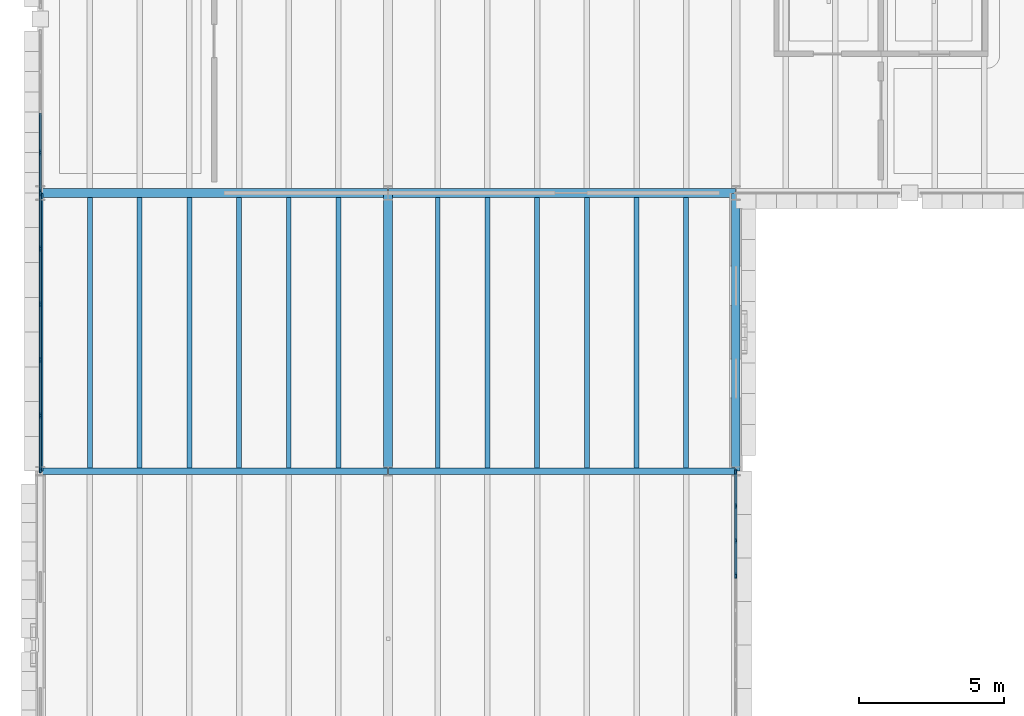
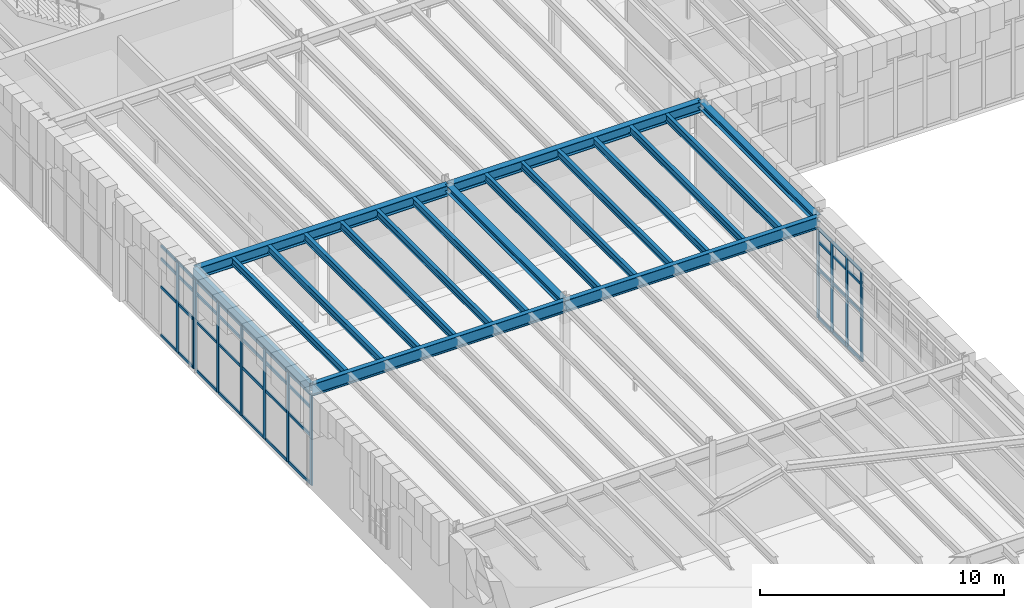
# One storey, part 17 of 100: 52 members, 19 beams, 3 elements without a shape of their own.
"""IFC4 building model written with IfcOpenShell, lengths in metres."""

from ifc_helpers import new_model, si_unit, direction, frame, origin, origin_2d, place, context, subcontext, project, spatial, rectangle, hollow_rectangle, i_section, extrude, material, layer, layer_set, material_profile, profile_set, type_object, element, aggregate, save


model = new_model("IFC4")

# Units and contexts
model_context = context("Model", 3, precision=1e-05, world=origin(), true_north=direction((0.0, 1.0)))
body_context = subcontext(model_context, "Body", "Model", "MODEL_VIEW")
ifc_project = project(units=[si_unit("LENGTHUNIT", "METRE"), si_unit("AREAUNIT", "SQUARE_METRE"), si_unit("VOLUMEUNIT", "CUBIC_METRE"), si_unit("PLANEANGLEUNIT", "RADIAN"), si_unit("MASSUNIT", "GRAM", prefix="KILO")], contexts=[model_context])

# Site, building, storey
site_placement = place(None, origin())
site = spatial("IfcSite", under=ifc_project, at=site_placement, CompositionType="ELEMENT")
building_placement = place(site_placement, origin())
building = spatial("IfcBuilding", under=site, at=building_placement, Name="Zlatogorsky Bluff Art Gallery", CompositionType="ELEMENT")
storey_placement = place(building_placement, frame((0.0, 0.0, 5.39990234375)))
storey = spatial("IfcBuildingStorey", under=building, at=storey_placement, Name="L01", CompositionType="ELEMENT", Elevation=5.39990234375)

# Beams
ifc_material_1 = material(Name="Steel S355", Category="steel")
ifc_material_profile_1 = material_profile(ifc_material_1, i_section(OverallWidth=0.300048828125, OverallDepth=0.5400390625, WebThickness=0.012451171875, FlangeThickness=0.02392578125, FilletRadius=0.027099609375, at=origin_2d()), Name="HEA 550")
ifc_profile_set_1 = profile_set([ifc_material_profile_1], Name="Steel S355")
beam_type_1 = type_object("IfcBeamType", Name="Beam BM-06 HEA 550", PredefinedType="BEAM", material=ifc_profile_set_1)
for number, where, z_axis, x_axis, name in (
    (1, (0.014892578125, 84.0, 4.840087890625), (1.0, 0.0, 0.0), (0.0, 1.0, 0.0), "Primary girder BM-06 L01 A-B/9"),
    (2, (12.014892578125, 84.0, 4.840087890625), (1.0, 0.0, 0.0), (0.0, 1.0, 0.0), "Primary girder BM-06 L01 B-C/9"),
):
    element("IfcBeam", number, at=place(storey_placement, frame(where, z_axis=z_axis, x_axis=x_axis)), inside=storey, type_object=beam_type_1, Name=name, PredefinedType="BEAM", context=body_context, shape_type="SweptSolid", body=[
        extrude(i_section(OverallWidth=0.300048828125, OverallDepth=0.5400390625, WebThickness=0.012451171875, FlangeThickness=0.02392578125, FilletRadius=0.027099609375, at=origin_2d()), origin(), (0.0, 0.0, 1.0), 11.97021484375),
    ])
ifc_material_profile_2 = material_profile(ifc_material_1, i_section(OverallWidth=0.300048828125, OverallDepth=0.35009765625, WebThickness=0.010009765625, FlangeThickness=0.017578125, FilletRadius=0.027099609375, at=origin_2d()), Name="HEA 360")
ifc_profile_set_2 = profile_set([ifc_material_profile_2], Name="Steel S355")
beam_type_2 = type_object("IfcBeamType", Name="Beam BM-10 HEA 360", PredefinedType="BEAM", material=ifc_profile_set_2)
for number, where, z_axis, x_axis, name in (
    (3, (12.0, 74.4150390625, 4.93505859375), (0.0, 1.0, 0.0), (-1.0, 0.0, 0.0), "Primary girder BM-10 L01 B/8-9"),
    (4, (24.0, 74.4150390625, 4.93505859375), (0.0, 1.0, 0.0), (-1.0, 0.0, 0.0), "Primary girder BM-10 L01 C/8-9"),
):
    element("IfcBeam", number, at=place(storey_placement, frame(where, z_axis=z_axis, x_axis=x_axis)), inside=storey, type_object=beam_type_2, Name=name, PredefinedType="BEAM", context=body_context, shape_type="SweptSolid", body=[
        extrude(i_section(OverallWidth=0.300048828125, OverallDepth=0.35009765625, WebThickness=0.010009765625, FlangeThickness=0.017578125, FilletRadius=0.027099609375, at=origin_2d()), origin(), (0.0, 0.0, 1.0), 9.570068359375),
    ])
ifc_material_profile_3 = material_profile(ifc_material_1, i_section(OverallWidth=0.219970703125, OverallDepth=0.60009765625, WebThickness=0.011962890625, FlangeThickness=0.01904296875, FilletRadius=0.02392578125, at=origin_2d()), Name="IPE 600")
ifc_profile_set_3 = profile_set([ifc_material_profile_3], Name="Steel S355")
beam_type_3 = type_object("IfcBeamType", Name="Beam BM-13 IPE 600", PredefinedType="BEAM", material=ifc_profile_set_3)
for number, where, z_axis, x_axis, name in (
    (5, (0.014892578125, 74.39990234375, 4.81005859375), (1.0, 0.0, 0.0), (0.0, 1.0, 0.0), "Primary girder BM-13 L01 A-B/8"),
    (6, (12.014892578125, 74.39990234375, 4.81005859375), (1.0, 0.0, 0.0), (0.0, 1.0, 0.0), "Primary girder BM-13 L01 B-C/8"),
):
    element("IfcBeam", number, at=place(storey_placement, frame(where, z_axis=z_axis, x_axis=x_axis)), inside=storey, type_object=beam_type_3, Name=name, PredefinedType="BEAM", context=body_context, shape_type="SweptSolid", body=[
        extrude(i_section(OverallWidth=0.219970703125, OverallDepth=0.60009765625, WebThickness=0.011962890625, FlangeThickness=0.01904296875, FilletRadius=0.02392578125, at=origin_2d()), origin(), (0.0, 0.0, 1.0), 11.97021484375),
    ])
ifc_material_profile_4 = material_profile(ifc_material_1, i_section(OverallWidth=0.169921875, OverallDepth=0.360107421875, WebThickness=0.008056640625, FlangeThickness=0.0126953125, FilletRadius=0.01806640625, at=origin_2d()), Name="IPE 360")
ifc_profile_set_4 = profile_set([ifc_material_profile_4], Name="Steel S355")
beam_type_4 = type_object("IfcBeamType", Name="Beam JS-04 IPE 360", PredefinedType="JOIST", material=ifc_profile_set_4)
for number, where, z_axis, x_axis, name in (
    (7, (1.71435546875, 74.510009765625, 4.93017578125), (0.0, 1.0, 0.0), (-1.0, 0.0, 0.0), "Composite floor joist JS-04 L01 00.07.1"),
    (8, (3.428466796875, 74.510009765625, 4.93017578125), (0.0, 1.0, 0.0), (-1.0, 0.0, 0.0), "Composite floor joist JS-04 L01 00.07.2"),
    (9, (5.142822265625, 74.510009765625, 4.93017578125), (0.0, 1.0, 0.0), (-1.0, 0.0, 0.0), "Composite floor joist JS-04 L01 00.07.3"),
    (10, (6.857177734375, 74.510009765625, 4.93017578125), (0.0, 1.0, 0.0), (-1.0, 0.0, 0.0), "Composite floor joist JS-04 L01 00.07.4"),
    (11, (8.571533203125, 74.510009765625, 4.93017578125), (0.0, 1.0, 0.0), (-1.0, 0.0, 0.0), "Composite floor joist JS-04 L01 00.07.5"),
    (12, (10.28564453125, 74.510009765625, 4.93017578125), (0.0, 1.0, 0.0), (-1.0, 0.0, 0.0), "Composite floor joist JS-04 L01 00.07.6"),
    (13, (13.71435546875, 74.510009765625, 4.93017578125), (0.0, 1.0, 0.0), (-1.0, 0.0, 0.0), "Composite floor joist JS-04 L01 01.07.1"),
    (14, (15.428466796875, 74.510009765625, 4.93017578125), (0.0, 1.0, 0.0), (-1.0, 0.0, 0.0), "Composite floor joist JS-04 L01 01.07.2"),
    (15, (17.142822265625, 74.510009765625, 4.93017578125), (0.0, 1.0, 0.0), (-1.0, 0.0, 0.0), "Composite floor joist JS-04 L01 01.07.3"),
    (16, (18.857177734375, 74.510009765625, 4.93017578125), (0.0, 1.0, 0.0), (-1.0, 0.0, 0.0), "Composite floor joist JS-04 L01 01.07.4"),
    (17, (20.571533203125, 74.510009765625, 4.93017578125), (0.0, 1.0, 0.0), (-1.0, 0.0, 0.0), "Composite floor joist JS-04 L01 01.07.5"),
    (18, (22.28564453125, 74.510009765625, 4.93017578125), (0.0, 1.0, 0.0), (-1.0, 0.0, 0.0), "Composite floor joist JS-04 L01 01.07.6"),
):
    element("IfcBeam", number, at=place(storey_placement, frame(where, z_axis=z_axis, x_axis=x_axis)), inside=storey, type_object=beam_type_4, Name=name, PredefinedType="JOIST", context=body_context, shape_type="SweptSolid", body=[
        extrude(i_section(OverallWidth=0.169921875, OverallDepth=0.360107421875, WebThickness=0.008056640625, FlangeThickness=0.0126953125, FilletRadius=0.01806640625, at=origin_2d()), origin(), (0.0, 0.0, 1.0), 9.340087890625),
    ])
ifc_material_profile_5 = material_profile(ifc_material_1, hollow_rectangle(XDim=0.199951171875, YDim=0.39990234375, WallThickness=0.01611328125, at=origin_2d()), Name="RHS 400x200x16")
ifc_profile_set_5 = profile_set([ifc_material_profile_5], Name="Steel S355")
beam_type_5 = type_object("IfcBeamType", Name="Beam SP-02 RHS 400x200x16", PredefinedType="SPANDREL", material=ifc_profile_set_5)
beam_placement = place(storey_placement, frame((0.0, 74.4150390625, 4.91015625), z_axis=(0.0, 1.0, 0.0), x_axis=(-1.0, 0.0, 0.0)))
element("IfcBeam", 19, at=beam_placement, inside=storey, type_object=beam_type_5, Name="Primary girder SP-02 L01 A/8-9", PredefinedType="SPANDREL", context=body_context, shape_type="SweptSolid", body=[
    extrude(hollow_rectangle(XDim=0.199951171875, YDim=0.39990234375, WallThickness=0.01611328125, at=origin_2d()), origin(), (0.0, 0.0, 1.0), 9.570068359375),
])

# Curtain wall, members
ifc_material_2 = material(Name="Anodised Bronze Aluminium and Low-Iron Triple Glazing", Category="aluminium")
ifc_layer_1 = layer(ifc_material_2, 0.219970703125)
ifc_layer_set_1 = layer_set([ifc_layer_1], Name="Curtain Wall CW-04")
curtain_wall_type_1 = type_object("IfcCurtainWallType", Name="Curtain Wall CW-04", PredefinedType="USERDEFINED", material=ifc_layer_set_1)
curtain_wall_1_placement = place(storey_placement, origin())
curtain_wall_1 = element("IfcCurtainWall", 20, at=curtain_wall_1_placement, inside=storey, type_object=curtain_wall_type_1, Name="Unitised curtain wall CW-04 L01 W 0.7", ObjectType="CURTAIN WALL", PredefinedType="USERDEFINED")
ifc_material_3 = material(Name="Anodised Bronze Aluminium", Category="aluminium")
ifc_material_profile_6 = material_profile(ifc_material_3, rectangle(XDim=0.06494140625, YDim=0.179931640625, at=origin_2d()), Name="ALU MULLION 65x180")
ifc_profile_set_6 = profile_set([ifc_material_profile_6], Name="Anodised Bronze Aluminium")
member_type_1 = type_object("IfcMemberType", Name="Curtain Mullion ML-01", PredefinedType="MULLION", material=ifc_profile_set_6)
member_1_placement = place(storey_placement, frame((0.0, 83.967529296875, 0.0), z_axis=(0.0, 0.0, 1.0), x_axis=(1.0, 0.0, 0.0)))
member_1 = element("IfcMember", 21, at=member_1_placement, type_object=member_type_1, Name="CW-04 mullion 1", PredefinedType="MULLION", context=body_context, shape_type="SweptSolid", body=[
    extrude(rectangle(XDim=0.06494140625, YDim=0.179931640625, at=origin_2d()), origin(), (0.0, 0.0, 1.0), 4.530029296875),
])
member_2_placement = place(storey_placement, frame((0.0, 82.080078125, 0.0), z_axis=(0.0, 0.0, 1.0), x_axis=(1.0, 0.0, 0.0)))
member_2 = element("IfcMember", 22, at=member_2_placement, type_object=member_type_1, Name="CW-04 mullion 2", PredefinedType="MULLION", context=body_context, shape_type="SweptSolid", body=[
    extrude(rectangle(XDim=0.06494140625, YDim=0.179931640625, at=origin_2d()), origin(), (0.0, 0.0, 1.0), 4.530029296875),
])
member_3_placement = place(storey_placement, frame((0.0, 80.159912109375, 0.0), z_axis=(0.0, 0.0, 1.0), x_axis=(1.0, 0.0, 0.0)))
member_3 = element("IfcMember", 23, at=member_3_placement, type_object=member_type_1, Name="CW-04 mullion 3", PredefinedType="MULLION", context=body_context, shape_type="SweptSolid", body=[
    extrude(rectangle(XDim=0.06494140625, YDim=0.179931640625, at=origin_2d()), origin(), (0.0, 0.0, 1.0), 4.530029296875),
])
member_4_placement = place(storey_placement, frame((0.0, 78.239990234375, 0.0), z_axis=(0.0, 0.0, 1.0), x_axis=(1.0, 0.0, 0.0)))
member_4 = element("IfcMember", 24, at=member_4_placement, type_object=member_type_1, Name="CW-04 mullion 4", PredefinedType="MULLION", context=body_context, shape_type="SweptSolid", body=[
    extrude(rectangle(XDim=0.06494140625, YDim=0.179931640625, at=origin_2d()), origin(), (0.0, 0.0, 1.0), 4.530029296875),
])
member_5_placement = place(storey_placement, frame((0.0, 76.320068359375, 0.0), z_axis=(0.0, 0.0, 1.0), x_axis=(1.0, 0.0, 0.0)))
member_5 = element("IfcMember", 25, at=member_5_placement, type_object=member_type_1, Name="CW-04 mullion 5", PredefinedType="MULLION", context=body_context, shape_type="SweptSolid", body=[
    extrude(rectangle(XDim=0.06494140625, YDim=0.179931640625, at=origin_2d()), origin(), (0.0, 0.0, 1.0), 4.530029296875),
])
member_6_placement = place(storey_placement, frame((0.0, 74.4326171875, 0.0), z_axis=(0.0, 0.0, 1.0), x_axis=(1.0, 0.0, 0.0)))
member_6 = element("IfcMember", 26, at=member_6_placement, type_object=member_type_1, Name="CW-04 mullion 6", PredefinedType="MULLION", context=body_context, shape_type="SweptSolid", body=[
    extrude(rectangle(XDim=0.06494140625, YDim=0.179931640625, at=origin_2d()), origin(), (0.0, 0.0, 1.0), 4.530029296875),
])

ifc_layer_2 = layer(ifc_material_2, 0.179931640625)
ifc_layer_set_2 = layer_set([ifc_layer_2], Name="Curtain Wall CW-01")
curtain_wall_type_2 = type_object("IfcCurtainWallType", Name="Curtain Wall CW-01", PredefinedType="USERDEFINED", material=ifc_layer_set_2)
curtain_wall_2_placement = place(storey_placement, origin())
curtain_wall_2 = element("IfcCurtainWall", 27, at=curtain_wall_2_placement, inside=storey, type_object=curtain_wall_type_2, Name="Unitised curtain wall CW-01 L01 W 0.8-B", ObjectType="CURTAIN WALL", PredefinedType="USERDEFINED")
member_7_placement = place(storey_placement, frame((0.0, 85.39501953125, 0.0), z_axis=(0.0, 0.0, 1.0), x_axis=(1.0, 0.0, 0.0)))
member_7 = element("IfcMember", 28, at=member_7_placement, type_object=member_type_1, Name="CW-01 mullion 4", PredefinedType="MULLION", context=body_context, shape_type="SweptSolid", body=[
    extrude(rectangle(XDim=0.06494140625, YDim=0.179931640625, at=origin_2d()), origin(), (0.0, 0.0, 1.0), 4.530029296875),
])
member_8_placement = place(storey_placement, frame((0.0, 84.032470703125, 0.0), z_axis=(0.0, 0.0, 1.0), x_axis=(1.0, 0.0, 0.0)))
member_8 = element("IfcMember", 29, at=member_8_placement, type_object=member_type_1, Name="CW-01 mullion 5", PredefinedType="MULLION", context=body_context, shape_type="SweptSolid", body=[
    extrude(rectangle(XDim=0.06494140625, YDim=0.179931640625, at=origin_2d()), origin(), (0.0, 0.0, 1.0), 4.530029296875),
])

ifc_layer_3 = layer(ifc_material_2, 0.179931640625)
ifc_layer_set_3 = layer_set([ifc_layer_3], Name="Curtain Wall CW-03")
curtain_wall_type_3 = type_object("IfcCurtainWallType", Name="Curtain Wall CW-03", PredefinedType="USERDEFINED", material=ifc_layer_set_3)
curtain_wall_3_placement = place(storey_placement, origin())
curtain_wall_3 = element("IfcCurtainWall", 30, at=curtain_wall_3_placement, inside=storey, type_object=curtain_wall_type_3, Name="Unitised curtain wall CW-03 L01 E 1.6", ObjectType="CURTAIN WALL", PredefinedType="USERDEFINED")
member_9_placement = place(storey_placement, frame((24.0, 70.800048828125, 0.0), z_axis=(0.0, 0.0, 1.0), x_axis=(-1.0, 0.0, 0.0)))
member_9 = element("IfcMember", 31, at=member_9_placement, type_object=member_type_1, Name="CW-03 mullion 8", PredefinedType="MULLION", context=body_context, shape_type="SweptSolid", body=[
    extrude(rectangle(XDim=0.06494140625, YDim=0.179931640625, at=origin_2d()), origin(), (0.0, 0.0, 1.0), 4.530029296875),
])
member_10_placement = place(storey_placement, frame((24.0, 72.0, 0.0), z_axis=(0.0, 0.0, 1.0), x_axis=(-1.0, 0.0, 0.0)))
member_10 = element("IfcMember", 32, at=member_10_placement, type_object=member_type_1, Name="CW-03 mullion 9", PredefinedType="MULLION", context=body_context, shape_type="SweptSolid", body=[
    extrude(rectangle(XDim=0.06494140625, YDim=0.179931640625, at=origin_2d()), origin(), (0.0, 0.0, 1.0), 4.530029296875),
])
member_11_placement = place(storey_placement, frame((24.0, 73.199951171875, 0.0), z_axis=(0.0, 0.0, 1.0), x_axis=(-1.0, 0.0, 0.0)))
member_11 = element("IfcMember", 33, at=member_11_placement, type_object=member_type_1, Name="CW-03 mullion 10", PredefinedType="MULLION", context=body_context, shape_type="SweptSolid", body=[
    extrude(rectangle(XDim=0.06494140625, YDim=0.179931640625, at=origin_2d()), origin(), (0.0, 0.0, 1.0), 4.530029296875),
])
member_12_placement = place(storey_placement, frame((24.0, 74.367431640625, 0.0), z_axis=(0.0, 0.0, 1.0), x_axis=(-1.0, 0.0, 0.0)))
member_12 = element("IfcMember", 34, at=member_12_placement, type_object=member_type_1, Name="CW-03 mullion 11", PredefinedType="MULLION", context=body_context, shape_type="SweptSolid", body=[
    extrude(rectangle(XDim=0.06494140625, YDim=0.179931640625, at=origin_2d()), origin(), (0.0, 0.0, 1.0), 4.530029296875),
])

# Member
ifc_material_profile_7 = material_profile(ifc_material_3, rectangle(XDim=0.06494140625, YDim=0.139892578125, at=origin_2d()), Name="ALU TRANSOM 65x140")
ifc_profile_set_7 = profile_set([ifc_material_profile_7], Name="Anodised Bronze Aluminium")
member_type_2 = type_object("IfcMemberType", Name="Curtain Transom TR-01", PredefinedType="USERDEFINED", material=ifc_profile_set_7)
member_13_placement = place(storey_placement, frame((0.0, 83.93505859375, 0.03271484375), z_axis=(0.0, -1.0, 0.0), x_axis=(1.0, 0.0, 0.0)))
member_13 = element("IfcMember", 35, at=member_13_placement, type_object=member_type_2, Name="CW-04 transom 1.1", ObjectType="TRANSOM", PredefinedType="USERDEFINED", context=body_context, shape_type="SweptSolid", body=[
    extrude(rectangle(XDim=0.06494140625, YDim=0.139892578125, at=origin_2d()), origin(), (0.0, 0.0, 1.0), 1.822509765625),
])

member_14_placement = place(storey_placement, frame((0.0, 83.93505859375, 2.4501953125), z_axis=(0.0, -1.0, 0.0), x_axis=(1.0, 0.0, 0.0)))
member_14 = element("IfcMember", 36, at=member_14_placement, type_object=member_type_2, Name="CW-04 transom 1.2", ObjectType="TRANSOM", PredefinedType="USERDEFINED", context=body_context, shape_type="SweptSolid", body=[
    extrude(rectangle(XDim=0.06494140625, YDim=0.139892578125, at=origin_2d()), origin(), (0.0, 0.0, 1.0), 1.822509765625),
])

member_15_placement = place(storey_placement, frame((0.0, 83.93505859375, 3.85009765625), z_axis=(0.0, -1.0, 0.0), x_axis=(1.0, 0.0, 0.0)))
member_15 = element("IfcMember", 37, at=member_15_placement, type_object=member_type_2, Name="CW-04 transom 1.3", ObjectType="TRANSOM", PredefinedType="USERDEFINED", context=body_context, shape_type="SweptSolid", body=[
    extrude(rectangle(XDim=0.06494140625, YDim=0.139892578125, at=origin_2d()), origin(), (0.0, 0.0, 1.0), 1.822509765625),
])

member_16_placement = place(storey_placement, frame((0.0, 83.93505859375, 4.49755859375), z_axis=(0.0, -1.0, 0.0), x_axis=(1.0, 0.0, 0.0)))
member_16 = element("IfcMember", 38, at=member_16_placement, type_object=member_type_2, Name="CW-04 transom 1.4", ObjectType="TRANSOM", PredefinedType="USERDEFINED", context=body_context, shape_type="SweptSolid", body=[
    extrude(rectangle(XDim=0.06494140625, YDim=0.139892578125, at=origin_2d()), origin(), (0.0, 0.0, 1.0), 1.822509765625),
])

member_17_placement = place(storey_placement, frame((0.0, 82.047607421875, 0.03271484375), z_axis=(0.0, -1.0, 0.0), x_axis=(1.0, 0.0, 0.0)))
member_17 = element("IfcMember", 39, at=member_17_placement, type_object=member_type_2, Name="CW-04 transom 2.1", ObjectType="TRANSOM", PredefinedType="USERDEFINED", context=body_context, shape_type="SweptSolid", body=[
    extrude(rectangle(XDim=0.06494140625, YDim=0.139892578125, at=origin_2d()), origin(), (0.0, 0.0, 1.0), 1.855224609375),
])

member_18_placement = place(storey_placement, frame((0.0, 82.047607421875, 2.4501953125), z_axis=(0.0, -1.0, 0.0), x_axis=(1.0, 0.0, 0.0)))
member_18 = element("IfcMember", 40, at=member_18_placement, type_object=member_type_2, Name="CW-04 transom 2.2", ObjectType="TRANSOM", PredefinedType="USERDEFINED", context=body_context, shape_type="SweptSolid", body=[
    extrude(rectangle(XDim=0.06494140625, YDim=0.139892578125, at=origin_2d()), origin(), (0.0, 0.0, 1.0), 1.855224609375),
])

member_19_placement = place(storey_placement, frame((0.0, 82.047607421875, 3.85009765625), z_axis=(0.0, -1.0, 0.0), x_axis=(1.0, 0.0, 0.0)))
member_19 = element("IfcMember", 41, at=member_19_placement, type_object=member_type_2, Name="CW-04 transom 2.3", ObjectType="TRANSOM", PredefinedType="USERDEFINED", context=body_context, shape_type="SweptSolid", body=[
    extrude(rectangle(XDim=0.06494140625, YDim=0.139892578125, at=origin_2d()), origin(), (0.0, 0.0, 1.0), 1.855224609375),
])

member_20_placement = place(storey_placement, frame((0.0, 82.047607421875, 4.49755859375), z_axis=(0.0, -1.0, 0.0), x_axis=(1.0, 0.0, 0.0)))
member_20 = element("IfcMember", 42, at=member_20_placement, type_object=member_type_2, Name="CW-04 transom 2.4", ObjectType="TRANSOM", PredefinedType="USERDEFINED", context=body_context, shape_type="SweptSolid", body=[
    extrude(rectangle(XDim=0.06494140625, YDim=0.139892578125, at=origin_2d()), origin(), (0.0, 0.0, 1.0), 1.855224609375),
])

member_21_placement = place(storey_placement, frame((0.0, 80.12744140625, 0.03271484375), z_axis=(0.0, -1.0, 0.0), x_axis=(1.0, 0.0, 0.0)))
member_21 = element("IfcMember", 43, at=member_21_placement, type_object=member_type_2, Name="CW-04 transom 3.1", ObjectType="TRANSOM", PredefinedType="USERDEFINED", context=body_context, shape_type="SweptSolid", body=[
    extrude(rectangle(XDim=0.06494140625, YDim=0.139892578125, at=origin_2d()), origin(), (0.0, 0.0, 1.0), 1.85498046875),
])

member_22_placement = place(storey_placement, frame((0.0, 80.12744140625, 2.4501953125), z_axis=(0.0, -1.0, 0.0), x_axis=(1.0, 0.0, 0.0)))
member_22 = element("IfcMember", 44, at=member_22_placement, type_object=member_type_2, Name="CW-04 transom 3.2", ObjectType="TRANSOM", PredefinedType="USERDEFINED", context=body_context, shape_type="SweptSolid", body=[
    extrude(rectangle(XDim=0.06494140625, YDim=0.139892578125, at=origin_2d()), origin(), (0.0, 0.0, 1.0), 1.85498046875),
])

member_23_placement = place(storey_placement, frame((0.0, 80.12744140625, 3.85009765625), z_axis=(0.0, -1.0, 0.0), x_axis=(1.0, 0.0, 0.0)))
member_23 = element("IfcMember", 45, at=member_23_placement, type_object=member_type_2, Name="CW-04 transom 3.3", ObjectType="TRANSOM", PredefinedType="USERDEFINED", context=body_context, shape_type="SweptSolid", body=[
    extrude(rectangle(XDim=0.06494140625, YDim=0.139892578125, at=origin_2d()), origin(), (0.0, 0.0, 1.0), 1.85498046875),
])

member_24_placement = place(storey_placement, frame((0.0, 80.12744140625, 4.49755859375), z_axis=(0.0, -1.0, 0.0), x_axis=(1.0, 0.0, 0.0)))
member_24 = element("IfcMember", 46, at=member_24_placement, type_object=member_type_2, Name="CW-04 transom 3.4", ObjectType="TRANSOM", PredefinedType="USERDEFINED", context=body_context, shape_type="SweptSolid", body=[
    extrude(rectangle(XDim=0.06494140625, YDim=0.139892578125, at=origin_2d()), origin(), (0.0, 0.0, 1.0), 1.85498046875),
])

member_25_placement = place(storey_placement, frame((0.0, 78.20751953125, 0.03271484375), z_axis=(0.0, -1.0, 0.0), x_axis=(1.0, 0.0, 0.0)))
member_25 = element("IfcMember", 47, at=member_25_placement, type_object=member_type_2, Name="CW-04 transom 4.1", ObjectType="TRANSOM", PredefinedType="USERDEFINED", context=body_context, shape_type="SweptSolid", body=[
    extrude(rectangle(XDim=0.06494140625, YDim=0.139892578125, at=origin_2d()), origin(), (0.0, 0.0, 1.0), 1.85498046875),
])

member_26_placement = place(storey_placement, frame((0.0, 78.20751953125, 2.4501953125), z_axis=(0.0, -1.0, 0.0), x_axis=(1.0, 0.0, 0.0)))
member_26 = element("IfcMember", 48, at=member_26_placement, type_object=member_type_2, Name="CW-04 transom 4.2", ObjectType="TRANSOM", PredefinedType="USERDEFINED", context=body_context, shape_type="SweptSolid", body=[
    extrude(rectangle(XDim=0.06494140625, YDim=0.139892578125, at=origin_2d()), origin(), (0.0, 0.0, 1.0), 1.85498046875),
])

member_27_placement = place(storey_placement, frame((0.0, 78.20751953125, 3.85009765625), z_axis=(0.0, -1.0, 0.0), x_axis=(1.0, 0.0, 0.0)))
member_27 = element("IfcMember", 49, at=member_27_placement, type_object=member_type_2, Name="CW-04 transom 4.3", ObjectType="TRANSOM", PredefinedType="USERDEFINED", context=body_context, shape_type="SweptSolid", body=[
    extrude(rectangle(XDim=0.06494140625, YDim=0.139892578125, at=origin_2d()), origin(), (0.0, 0.0, 1.0), 1.85498046875),
])

member_28_placement = place(storey_placement, frame((0.0, 78.20751953125, 4.49755859375), z_axis=(0.0, -1.0, 0.0), x_axis=(1.0, 0.0, 0.0)))
member_28 = element("IfcMember", 50, at=member_28_placement, type_object=member_type_2, Name="CW-04 transom 4.4", ObjectType="TRANSOM", PredefinedType="USERDEFINED", context=body_context, shape_type="SweptSolid", body=[
    extrude(rectangle(XDim=0.06494140625, YDim=0.139892578125, at=origin_2d()), origin(), (0.0, 0.0, 1.0), 1.85498046875),
])

member_29_placement = place(storey_placement, frame((0.0, 76.28759765625, 0.03271484375), z_axis=(0.0, -1.0, 0.0), x_axis=(1.0, 0.0, 0.0)))
member_29 = element("IfcMember", 51, at=member_29_placement, type_object=member_type_2, Name="CW-04 transom 5.1", ObjectType="TRANSOM", PredefinedType="USERDEFINED", context=body_context, shape_type="SweptSolid", body=[
    extrude(rectangle(XDim=0.06494140625, YDim=0.139892578125, at=origin_2d()), origin(), (0.0, 0.0, 1.0), 1.822509765625),
])

member_30_placement = place(storey_placement, frame((0.0, 76.28759765625, 2.4501953125), z_axis=(0.0, -1.0, 0.0), x_axis=(1.0, 0.0, 0.0)))
member_30 = element("IfcMember", 52, at=member_30_placement, type_object=member_type_2, Name="CW-04 transom 5.2", ObjectType="TRANSOM", PredefinedType="USERDEFINED", context=body_context, shape_type="SweptSolid", body=[
    extrude(rectangle(XDim=0.06494140625, YDim=0.139892578125, at=origin_2d()), origin(), (0.0, 0.0, 1.0), 1.822509765625),
])

member_31_placement = place(storey_placement, frame((0.0, 76.28759765625, 3.85009765625), z_axis=(0.0, -1.0, 0.0), x_axis=(1.0, 0.0, 0.0)))
member_31 = element("IfcMember", 53, at=member_31_placement, type_object=member_type_2, Name="CW-04 transom 5.3", ObjectType="TRANSOM", PredefinedType="USERDEFINED", context=body_context, shape_type="SweptSolid", body=[
    extrude(rectangle(XDim=0.06494140625, YDim=0.139892578125, at=origin_2d()), origin(), (0.0, 0.0, 1.0), 1.822509765625),
])

member_32_placement = place(storey_placement, frame((0.0, 76.28759765625, 4.49755859375), z_axis=(0.0, -1.0, 0.0), x_axis=(1.0, 0.0, 0.0)))
member_32 = element("IfcMember", 54, at=member_32_placement, type_object=member_type_2, Name="CW-04 transom 5.4", ObjectType="TRANSOM", PredefinedType="USERDEFINED", context=body_context, shape_type="SweptSolid", body=[
    extrude(rectangle(XDim=0.06494140625, YDim=0.139892578125, at=origin_2d()), origin(), (0.0, 0.0, 1.0), 1.822509765625),
])

aggregate(curtain_wall_1, [member_1, member_2, member_3, member_4, member_5, member_6, member_13, member_14, member_15, member_16, member_17, member_18, member_19, member_20, member_21, member_22, member_23, member_24, member_25, member_26, member_27, member_28, member_29, member_30, member_31, member_32])

member_33_placement = place(storey_placement, frame((0.0, 86.757568359375, 0.03271484375), z_axis=(0.0, -1.0, 0.0), x_axis=(1.0, 0.0, 0.0)))
member_33 = element("IfcMember", 55, at=member_33_placement, type_object=member_type_2, Name="CW-01 transom 3.1", ObjectType="TRANSOM", PredefinedType="USERDEFINED", context=body_context, shape_type="SweptSolid", body=[
    extrude(rectangle(XDim=0.06494140625, YDim=0.139892578125, at=origin_2d()), origin(), (0.0, 0.0, 1.0), 1.330078125),
])

member_34_placement = place(storey_placement, frame((0.0, 86.757568359375, 2.4501953125), z_axis=(0.0, -1.0, 0.0), x_axis=(1.0, 0.0, 0.0)))
member_34 = element("IfcMember", 56, at=member_34_placement, type_object=member_type_2, Name="CW-01 transom 3.2", ObjectType="TRANSOM", PredefinedType="USERDEFINED", context=body_context, shape_type="SweptSolid", body=[
    extrude(rectangle(XDim=0.06494140625, YDim=0.139892578125, at=origin_2d()), origin(), (0.0, 0.0, 1.0), 1.330078125),
])

member_35_placement = place(storey_placement, frame((0.0, 86.757568359375, 3.85009765625), z_axis=(0.0, -1.0, 0.0), x_axis=(1.0, 0.0, 0.0)))
member_35 = element("IfcMember", 57, at=member_35_placement, type_object=member_type_2, Name="CW-01 transom 3.3", ObjectType="TRANSOM", PredefinedType="USERDEFINED", context=body_context, shape_type="SweptSolid", body=[
    extrude(rectangle(XDim=0.06494140625, YDim=0.139892578125, at=origin_2d()), origin(), (0.0, 0.0, 1.0), 1.330078125),
])

member_36_placement = place(storey_placement, frame((0.0, 86.757568359375, 4.49755859375), z_axis=(0.0, -1.0, 0.0), x_axis=(1.0, 0.0, 0.0)))
member_36 = element("IfcMember", 58, at=member_36_placement, type_object=member_type_2, Name="CW-01 transom 3.4", ObjectType="TRANSOM", PredefinedType="USERDEFINED", context=body_context, shape_type="SweptSolid", body=[
    extrude(rectangle(XDim=0.06494140625, YDim=0.139892578125, at=origin_2d()), origin(), (0.0, 0.0, 1.0), 1.330078125),
])

member_37_placement = place(storey_placement, frame((0.0, 85.362548828125, 0.03271484375), z_axis=(0.0, -1.0, 0.0), x_axis=(1.0, 0.0, 0.0)))
member_37 = element("IfcMember", 59, at=member_37_placement, type_object=member_type_2, Name="CW-01 transom 4.1", ObjectType="TRANSOM", PredefinedType="USERDEFINED", context=body_context, shape_type="SweptSolid", body=[
    extrude(rectangle(XDim=0.06494140625, YDim=0.139892578125, at=origin_2d()), origin(), (0.0, 0.0, 1.0), 1.297607421875),
])

member_38_placement = place(storey_placement, frame((0.0, 85.362548828125, 2.4501953125), z_axis=(0.0, -1.0, 0.0), x_axis=(1.0, 0.0, 0.0)))
member_38 = element("IfcMember", 60, at=member_38_placement, type_object=member_type_2, Name="CW-01 transom 4.2", ObjectType="TRANSOM", PredefinedType="USERDEFINED", context=body_context, shape_type="SweptSolid", body=[
    extrude(rectangle(XDim=0.06494140625, YDim=0.139892578125, at=origin_2d()), origin(), (0.0, 0.0, 1.0), 1.297607421875),
])

member_39_placement = place(storey_placement, frame((0.0, 85.362548828125, 3.85009765625), z_axis=(0.0, -1.0, 0.0), x_axis=(1.0, 0.0, 0.0)))
member_39 = element("IfcMember", 61, at=member_39_placement, type_object=member_type_2, Name="CW-01 transom 4.3", ObjectType="TRANSOM", PredefinedType="USERDEFINED", context=body_context, shape_type="SweptSolid", body=[
    extrude(rectangle(XDim=0.06494140625, YDim=0.139892578125, at=origin_2d()), origin(), (0.0, 0.0, 1.0), 1.297607421875),
])

member_40_placement = place(storey_placement, frame((0.0, 85.362548828125, 4.49755859375), z_axis=(0.0, -1.0, 0.0), x_axis=(1.0, 0.0, 0.0)))
member_40 = element("IfcMember", 62, at=member_40_placement, type_object=member_type_2, Name="CW-01 transom 4.4", ObjectType="TRANSOM", PredefinedType="USERDEFINED", context=body_context, shape_type="SweptSolid", body=[
    extrude(rectangle(XDim=0.06494140625, YDim=0.139892578125, at=origin_2d()), origin(), (0.0, 0.0, 1.0), 1.297607421875),
])

aggregate(curtain_wall_2, [member_7, member_8, member_33, member_34, member_35, member_36, member_37, member_38, member_39, member_40])

member_41_placement = place(storey_placement, frame((24.0, 70.83251953125, 0.03271484375), z_axis=(0.0, 1.0, 0.0), x_axis=(-1.0, 0.0, 0.0)))
member_41 = element("IfcMember", 63, at=member_41_placement, type_object=member_type_2, Name="CW-03 transom 8.1", ObjectType="TRANSOM", PredefinedType="USERDEFINED", context=body_context, shape_type="SweptSolid", body=[
    extrude(rectangle(XDim=0.06494140625, YDim=0.139892578125, at=origin_2d()), origin(), (0.0, 0.0, 1.0), 1.135009765625),
])

member_42_placement = place(storey_placement, frame((24.0, 70.83251953125, 2.4501953125), z_axis=(0.0, 1.0, 0.0), x_axis=(-1.0, 0.0, 0.0)))
member_42 = element("IfcMember", 64, at=member_42_placement, type_object=member_type_2, Name="CW-03 transom 8.2", ObjectType="TRANSOM", PredefinedType="USERDEFINED", context=body_context, shape_type="SweptSolid", body=[
    extrude(rectangle(XDim=0.06494140625, YDim=0.139892578125, at=origin_2d()), origin(), (0.0, 0.0, 1.0), 1.135009765625),
])

member_43_placement = place(storey_placement, frame((24.0, 70.83251953125, 3.85009765625), z_axis=(0.0, 1.0, 0.0), x_axis=(-1.0, 0.0, 0.0)))
member_43 = element("IfcMember", 65, at=member_43_placement, type_object=member_type_2, Name="CW-03 transom 8.3", ObjectType="TRANSOM", PredefinedType="USERDEFINED", context=body_context, shape_type="SweptSolid", body=[
    extrude(rectangle(XDim=0.06494140625, YDim=0.139892578125, at=origin_2d()), origin(), (0.0, 0.0, 1.0), 1.135009765625),
])

member_44_placement = place(storey_placement, frame((24.0, 70.83251953125, 4.49755859375), z_axis=(0.0, 1.0, 0.0), x_axis=(-1.0, 0.0, 0.0)))
member_44 = element("IfcMember", 66, at=member_44_placement, type_object=member_type_2, Name="CW-03 transom 8.4", ObjectType="TRANSOM", PredefinedType="USERDEFINED", context=body_context, shape_type="SweptSolid", body=[
    extrude(rectangle(XDim=0.06494140625, YDim=0.139892578125, at=origin_2d()), origin(), (0.0, 0.0, 1.0), 1.135009765625),
])

member_45_placement = place(storey_placement, frame((24.0, 72.032470703125, 0.03271484375), z_axis=(0.0, 1.0, 0.0), x_axis=(-1.0, 0.0, 0.0)))
member_45 = element("IfcMember", 67, at=member_45_placement, type_object=member_type_2, Name="CW-03 transom 9.1", ObjectType="TRANSOM", PredefinedType="USERDEFINED", context=body_context, shape_type="SweptSolid", body=[
    extrude(rectangle(XDim=0.06494140625, YDim=0.139892578125, at=origin_2d()), origin(), (0.0, 0.0, 1.0), 1.135009765625),
])

member_46_placement = place(storey_placement, frame((24.0, 72.032470703125, 2.4501953125), z_axis=(0.0, 1.0, 0.0), x_axis=(-1.0, 0.0, 0.0)))
member_46 = element("IfcMember", 68, at=member_46_placement, type_object=member_type_2, Name="CW-03 transom 9.2", ObjectType="TRANSOM", PredefinedType="USERDEFINED", context=body_context, shape_type="SweptSolid", body=[
    extrude(rectangle(XDim=0.06494140625, YDim=0.139892578125, at=origin_2d()), origin(), (0.0, 0.0, 1.0), 1.135009765625),
])

member_47_placement = place(storey_placement, frame((24.0, 72.032470703125, 3.85009765625), z_axis=(0.0, 1.0, 0.0), x_axis=(-1.0, 0.0, 0.0)))
member_47 = element("IfcMember", 69, at=member_47_placement, type_object=member_type_2, Name="CW-03 transom 9.3", ObjectType="TRANSOM", PredefinedType="USERDEFINED", context=body_context, shape_type="SweptSolid", body=[
    extrude(rectangle(XDim=0.06494140625, YDim=0.139892578125, at=origin_2d()), origin(), (0.0, 0.0, 1.0), 1.135009765625),
])

member_48_placement = place(storey_placement, frame((24.0, 72.032470703125, 4.49755859375), z_axis=(0.0, 1.0, 0.0), x_axis=(-1.0, 0.0, 0.0)))
member_48 = element("IfcMember", 70, at=member_48_placement, type_object=member_type_2, Name="CW-03 transom 9.4", ObjectType="TRANSOM", PredefinedType="USERDEFINED", context=body_context, shape_type="SweptSolid", body=[
    extrude(rectangle(XDim=0.06494140625, YDim=0.139892578125, at=origin_2d()), origin(), (0.0, 0.0, 1.0), 1.135009765625),
])

member_49_placement = place(storey_placement, frame((24.0, 73.232421875, 0.03271484375), z_axis=(0.0, 1.0, 0.0), x_axis=(-1.0, 0.0, 0.0)))
member_49 = element("IfcMember", 71, at=member_49_placement, type_object=member_type_2, Name="CW-03 transom 10.1", ObjectType="TRANSOM", PredefinedType="USERDEFINED", context=body_context, shape_type="SweptSolid", body=[
    extrude(rectangle(XDim=0.06494140625, YDim=0.139892578125, at=origin_2d()), origin(), (0.0, 0.0, 1.0), 1.1025390625),
])

member_50_placement = place(storey_placement, frame((24.0, 73.232421875, 2.4501953125), z_axis=(0.0, 1.0, 0.0), x_axis=(-1.0, 0.0, 0.0)))
member_50 = element("IfcMember", 72, at=member_50_placement, type_object=member_type_2, Name="CW-03 transom 10.2", ObjectType="TRANSOM", PredefinedType="USERDEFINED", context=body_context, shape_type="SweptSolid", body=[
    extrude(rectangle(XDim=0.06494140625, YDim=0.139892578125, at=origin_2d()), origin(), (0.0, 0.0, 1.0), 1.1025390625),
])

member_51_placement = place(storey_placement, frame((24.0, 73.232421875, 3.85009765625), z_axis=(0.0, 1.0, 0.0), x_axis=(-1.0, 0.0, 0.0)))
member_51 = element("IfcMember", 73, at=member_51_placement, type_object=member_type_2, Name="CW-03 transom 10.3", ObjectType="TRANSOM", PredefinedType="USERDEFINED", context=body_context, shape_type="SweptSolid", body=[
    extrude(rectangle(XDim=0.06494140625, YDim=0.139892578125, at=origin_2d()), origin(), (0.0, 0.0, 1.0), 1.1025390625),
])

member_52_placement = place(storey_placement, frame((24.0, 73.232421875, 4.49755859375), z_axis=(0.0, 1.0, 0.0), x_axis=(-1.0, 0.0, 0.0)))
member_52 = element("IfcMember", 74, at=member_52_placement, type_object=member_type_2, Name="CW-03 transom 10.4", ObjectType="TRANSOM", PredefinedType="USERDEFINED", context=body_context, shape_type="SweptSolid", body=[
    extrude(rectangle(XDim=0.06494140625, YDim=0.139892578125, at=origin_2d()), origin(), (0.0, 0.0, 1.0), 1.1025390625),
])

aggregate(curtain_wall_3, [member_9, member_10, member_11, member_12, member_41, member_42, member_43, member_44, member_45, member_46, member_47, member_48, member_49, member_50, member_51, member_52])

save(model, "model.ifc")
